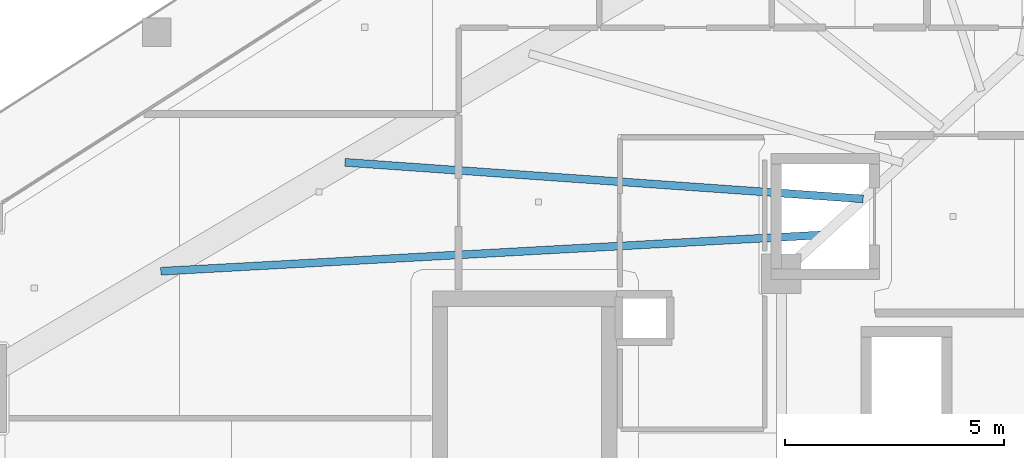
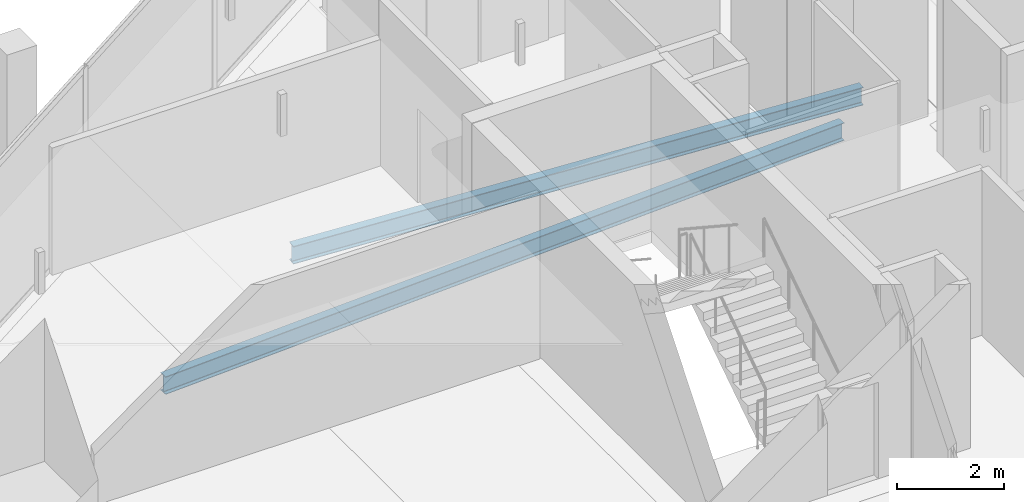
# One storey, part 14 of 33: 2 beams.
"""IFC4 building model written with IfcOpenShell, lengths in metres."""

from ifc_helpers import new_model, si_unit, direction, frame, origin, origin_2d, place, context, subcontext, project, spatial, i_section, extrude, material, material_profile, profile_set, type_object, element, save


model = new_model("IFC4")

# Units and contexts
model_context = context("Model", 3, precision=1e-05, world=origin(), true_north=direction((0.0, 1.0)))
body_context = subcontext(model_context, "Body", "Model", "MODEL_VIEW")
ifc_project = project(units=[si_unit("LENGTHUNIT", "METRE"), si_unit("AREAUNIT", "SQUARE_METRE"), si_unit("VOLUMEUNIT", "CUBIC_METRE"), si_unit("PLANEANGLEUNIT", "RADIAN"), si_unit("MASSUNIT", "GRAM", prefix="KILO")], contexts=[model_context])

# Site, building, storey
site_placement = place(None, origin())
site = spatial("IfcSite", under=ifc_project, at=site_placement, CompositionType="ELEMENT")
building_placement = place(site_placement, origin())
building = spatial("IfcBuilding", under=site, at=building_placement, Name="Qorvath Tower", CompositionType="ELEMENT")
storey_placement = place(building_placement, frame((0.0, 0.0, 209.10009765625)))
storey = spatial("IfcBuildingStorey", under=building, at=storey_placement, Name="L48", CompositionType="ELEMENT", Elevation=209.10009765625)

# Beams
ifc_material = material(Name="Steel ASTM A992 Grade 50", Category="steel")
ifc_material_profile = material_profile(ifc_material, i_section(OverallWidth=0.177978515625, OverallDepth=0.406005859375, WebThickness=0.0078125, FlangeThickness=0.0126953125, FilletRadius=0.010986328125, at=origin_2d()), Name="W16x40")
ifc_profile_set = profile_set([ifc_material_profile], Name="Steel ASTM A992 Grade 50")
beam_type = type_object("IfcBeamType", Name="BM-FJ3", PredefinedType="JOIST", material=ifc_profile_set)
beam_1_placement = place(storey_placement, frame((-29.533935546875, 6.031982421875, -0.472900390625), z_axis=(-0.998494745044, -0.054847462293, 0.0), x_axis=(0.054847462293, -0.998494745044, 0.0)))
element("IfcBeam", 1, at=beam_1_placement, inside=storey, type_object=beam_type, Name="Composite Floor Joist NW1 L48", PredefinedType="JOIST", context=body_context, shape_type="SweptSolid", body=[
    extrude(i_section(OverallWidth=0.177978515625, OverallDepth=0.406005859375, WebThickness=0.0078125, FlangeThickness=0.0126953125, FilletRadius=0.010986328125, at=origin_2d()), origin(), (0.0, 0.0, 1.0), 15.138671875),
])
beam_2_placement = place(storey_placement, frame((-28.636962890625, 6.85107421875, -0.472900390625), z_axis=(-0.997520476731, 0.070376832146, 0.0), x_axis=(-0.070376832146, -0.997520476731, 0.0)))
element("IfcBeam", 2, at=beam_2_placement, inside=storey, type_object=beam_type, Name="Composite Floor Joist NW2 L48", PredefinedType="JOIST", context=body_context, shape_type="SweptSolid", body=[
    extrude(i_section(OverallWidth=0.177978515625, OverallDepth=0.406005859375, WebThickness=0.0078125, FlangeThickness=0.0126953125, FilletRadius=0.010986328125, at=origin_2d()), origin(), (0.0, 0.0, 1.0), 11.84326171875),
])

save(model, "model.ifc")
